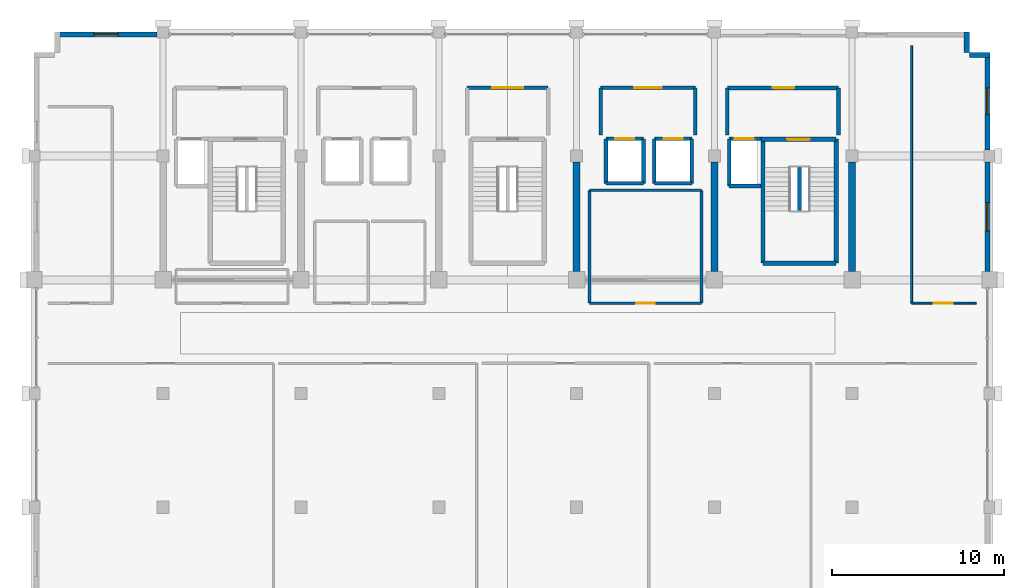
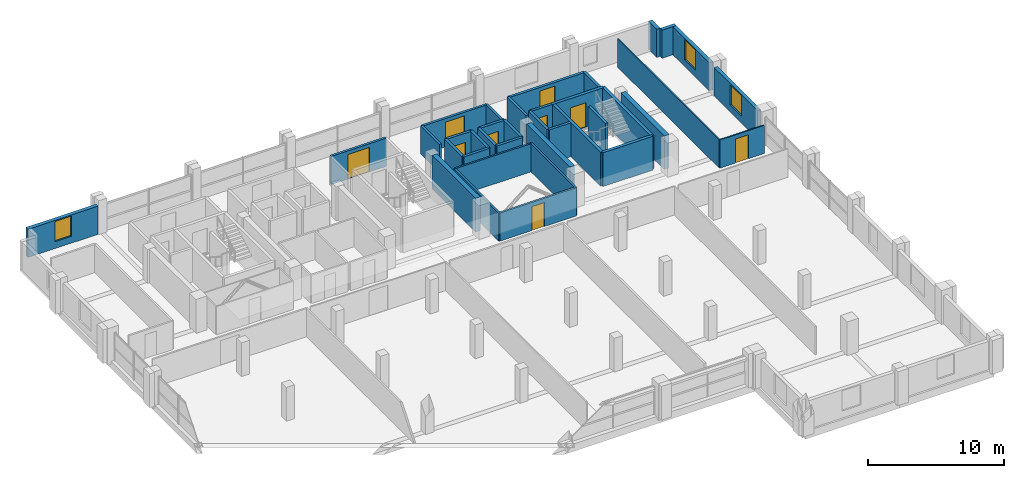
# One storey, part 23 of 25: 37 walls, 9 doors, 3 windows, 12 openings.
"""IFC4 building model written with IfcOpenShell, lengths in metres."""

from ifc_helpers import new_model, si_unit, direction, frame, frame_2d, origin, place, context, subcontext, project, spatial, rectangle, extrude, material, layer, layer_set, type_object, element, fill, save


model = new_model("IFC4")

# Units and contexts
model_context = context("Model", 3, precision=1e-05, world=origin(), true_north=direction((0.0, 1.0)))
body_context = subcontext(model_context, "Body", "Model", "MODEL_VIEW")
ifc_project = project(units=[si_unit("LENGTHUNIT", "METRE"), si_unit("AREAUNIT", "SQUARE_METRE"), si_unit("VOLUMEUNIT", "CUBIC_METRE"), si_unit("PLANEANGLEUNIT", "RADIAN"), si_unit("MASSUNIT", "GRAM", prefix="KILO")], contexts=[model_context])

# Site, building, storey
site_placement = place(None, origin())
site = spatial("IfcSite", under=ifc_project, at=site_placement, CompositionType="ELEMENT")
building_placement = place(site_placement, origin())
building = spatial("IfcBuilding", under=site, at=building_placement, Name="Akrevak Sports Hall", CompositionType="ELEMENT")
storey_placement = place(building_placement, frame((0.0, 0.0, 50.300048828125)))
storey = spatial("IfcBuildingStorey", under=building, at=storey_placement, Name="L12", CompositionType="ELEMENT", Elevation=50.300048828125)

# Wall, opening, window
ifc_material_1 = material(Name="Limestone Ashlar", Category="stone")
ifc_layer_1 = layer(ifc_material_1, 0.06005859375, Name="Limestone Ashlar")
ifc_material_2 = material(Name="Mineral Wool Thermal Insulation", Category="insulation")
ifc_layer_2 = layer(ifc_material_2, 0.090087890625, Name="Mineral Wool Thermal Insulation")
ifc_material_3 = material(Name="Concrete C40/50", Category="concrete")
ifc_layer_3 = layer(ifc_material_3, 0.14990234375, Name="Concrete C40/50")
ifc_layer_set_1 = layer_set([ifc_layer_1, ifc_layer_2, ifc_layer_3], Name="Limestone Ashlar / Mineral Wool Thermal Insulation / Concrete C40/50")
wall_type_1 = type_object("IfcWallType", Name="ARC-WL-EXT-300", PredefinedType="SOLIDWALL", material=ifc_layer_set_1)
wall_1_placement = place(storey_placement, frame((107.85009765625, 55.675048828125, 0.0), z_axis=(0.0, 0.0, 1.0), x_axis=(0.0, 1.0, 0.0)))
wall_1 = element("IfcWall", 1, at=wall_1_placement, inside=storey, type_object=wall_type_1, Name="Tower Stone Facade Wall L12-E15", PredefinedType="SOLIDWALL", context=body_context, shape_type="SweptSolid", body=[
    extrude(rectangle(XDim=6.375, YDim=0.300048828125, at=frame_2d((3.1875, 0.0))), origin(), (0.0, 0.0, 1.0), 2.530029296875),
])
opening_1_placement = place(wall_1_placement, frame((2.362548828125, 0.0, 0.6201171875)))
opening_1 = element("IfcOpeningElement", 2, at=opening_1_placement, cuts=wall_1, Name="Opening WN-58", PredefinedType="OPENING", context=body_context, shape_type="SweptSolid", body=[
    extrude(rectangle(XDim=1.64990234375, YDim=1.81005859375, at=frame_2d((0.824951171875, 0.905029296875))), frame((0.0, 0.162109375, 0.0), z_axis=(0.0, -1.0, 0.0), x_axis=(1.0, 0.0, 0.0)), (0.0, 0.0, 1.0), 0.323974609375),
])
ifc_material_4 = material(Name="Thermally Broken Bronze Frame & Double Low-E Glass", Category="glass")
window_type_1 = type_object("IfcWindowType", Name="ARC-WIN-SZ-1650x1810", PartitioningType="SINGLE_PANEL", PredefinedType="WINDOW", material=ifc_material_4)
window_1_placement = place(opening_1_placement, origin())
window_1 = element("IfcWindow", 3, at=window_1_placement, inside=storey, type_object=window_type_1, Name="Tower Window L12-E15", OverallHeight=1.81005859375, OverallWidth=1.64990234375, PartitioningType="SINGLE_PANEL", PredefinedType="WINDOW", context=body_context, shape_type="SweptSolid", body=[
    extrude(rectangle(XDim=1.64990234375, YDim=1.81005859375, at=frame_2d((0.824951171875, 0.905029296875))), frame((0.0, 0.030029296875, 0.0), z_axis=(0.0, -1.0, 0.0), x_axis=(1.0, 0.0, 0.0)), (0.0, 0.0, 1.0), 0.06005859375),
])
fill(opening_1, window_1)

wall_2_placement = place(storey_placement, frame((107.85009765625, 62.75, 0.0), z_axis=(0.0, 0.0, 1.0), x_axis=(0.0, 1.0, 0.0)))
wall_2 = element("IfcWall", 4, at=wall_2_placement, inside=storey, type_object=wall_type_1, Name="Tower Stone Facade Wall L12-E16", PredefinedType="SOLIDWALL", context=body_context, shape_type="SweptSolid", body=[
    extrude(rectangle(XDim=5.64990234375, YDim=0.300048828125, at=frame_2d((2.824951171875, 0.0))), origin(), (0.0, 0.0, 1.0), 2.530029296875),
])
opening_2_placement = place(wall_2_placement, frame((2.050048828125, 0.0, 0.6201171875)))
opening_2 = element("IfcOpeningElement", 5, at=opening_2_placement, cuts=wall_2, Name="Opening WN-50", PredefinedType="OPENING", context=body_context, shape_type="SweptSolid", body=[
    extrude(rectangle(XDim=1.550048828125, YDim=1.81005859375, at=frame_2d((0.77490234375, 0.905029296875))), frame((0.0, 0.162109375, 0.0), z_axis=(0.0, -1.0, 0.0), x_axis=(1.0, 0.0, 0.0)), (0.0, 0.0, 1.0), 0.323974609375),
])
window_type_2 = type_object("IfcWindowType", Name="ARC-WIN-SZ-1550x1810", PartitioningType="SINGLE_PANEL", PredefinedType="WINDOW", material=ifc_material_4)
window_2_placement = place(opening_2_placement, origin())
window_2 = element("IfcWindow", 6, at=window_2_placement, inside=storey, type_object=window_type_2, Name="Tower Window L12-E16", OverallHeight=1.81005859375, OverallWidth=1.550048828125, PartitioningType="SINGLE_PANEL", PredefinedType="WINDOW", context=body_context, shape_type="SweptSolid", body=[
    extrude(rectangle(XDim=1.550048828125, YDim=1.81005859375, at=frame_2d((0.77490234375, 0.905029296875))), frame((0.0, 0.030029296875, 0.0), z_axis=(0.0, -1.0, 0.0), x_axis=(1.0, 0.0, 0.0)), (0.0, 0.0, 1.0), 0.06005859375),
])
fill(opening_2, window_2)

# Walls
wall_3_placement = place(storey_placement, frame((108.0, 68.25, 0.0), z_axis=(0.0, 0.0, 1.0), x_axis=(-1.0, 0.0, 0.0)))
element("IfcWall", 7, at=wall_3_placement, inside=storey, type_object=wall_type_1, Name="Tower Stone Facade Wall L12-N17", PredefinedType="SOLIDWALL", context=body_context, shape_type="SweptSolid", body=[
    extrude(rectangle(XDim=1.199951171875, YDim=0.300048828125, at=frame_2d((0.60009765625, 0.0))), origin(), (0.0, 0.0, 1.0), 2.530029296875),
])
wall_4_placement = place(storey_placement, frame((106.64990234375, 68.39990234375, 0.0), z_axis=(0.0, 0.0, 1.0), x_axis=(0.0, 1.0, 0.0)))
element("IfcWall", 8, at=wall_4_placement, inside=storey, type_object=wall_type_1, Name="Tower Stone Facade Wall L12-E18", PredefinedType="SOLIDWALL", context=body_context, shape_type="SweptSolid", body=[
    extrude(rectangle(XDim=1.2001953125, YDim=0.300048828125, at=frame_2d((0.60009765625, 0.0))), origin(), (0.0, 0.0, 1.0), 2.530029296875),
])

# Wall, opening, window
wall_5_placement = place(storey_placement, frame((59.64990234375, 69.449951171875, 0.0), z_axis=(0.0, 0.0, 1.0), x_axis=(-1.0, 0.0, 0.0)))
wall_5 = element("IfcWall", 9, at=wall_5_placement, inside=storey, type_object=wall_type_1, Name="Tower Stone Facade Wall L12-N25", PredefinedType="SOLIDWALL", context=body_context, shape_type="SweptSolid", body=[
    extrude(rectangle(XDim=5.949951171875, YDim=0.300048828125, at=frame_2d((2.97509765625, 0.0))), origin(), (0.0, 0.0, 1.0), 2.530029296875),
])
opening_3_placement = place(wall_5_placement, frame((2.27490234375, 0.0, 0.6201171875)))
opening_3 = element("IfcOpeningElement", 10, at=opening_3_placement, cuts=wall_5, Name="Opening WN-49", PredefinedType="OPENING", context=body_context, shape_type="SweptSolid", body=[
    extrude(rectangle(XDim=1.39990234375, YDim=1.81005859375, at=frame_2d((0.699951171875, 0.905029296875))), frame((0.0, 0.162109375, 0.0), z_axis=(0.0, -1.0, 0.0), x_axis=(1.0, 0.0, 0.0)), (0.0, 0.0, 1.0), 0.323974609375),
])
window_type_3 = type_object("IfcWindowType", Name="ARC-WIN-SZ-1400x1810", PartitioningType="SINGLE_PANEL", PredefinedType="WINDOW", material=ifc_material_4)
window_3_placement = place(opening_3_placement, origin())
window_3 = element("IfcWindow", 11, at=window_3_placement, inside=storey, type_object=window_type_3, Name="Tower Window L12-N25", OverallHeight=1.81005859375, OverallWidth=1.39990234375, PartitioningType="SINGLE_PANEL", PredefinedType="WINDOW", context=body_context, shape_type="SweptSolid", body=[
    extrude(rectangle(XDim=1.39990234375, YDim=1.81005859375, at=frame_2d((0.699951171875, 0.905029296875))), frame((0.0, 0.030029296875, 0.0), z_axis=(0.0, -1.0, 0.0), x_axis=(1.0, 0.0, 0.0)), (0.0, 0.0, 1.0), 0.06005859375),
])
fill(opening_3, window_3)

# Wall, opening, door
ifc_material_5 = material(Name="Lightweight Office Partition", Category="gypsum")
ifc_layer_4 = layer(ifc_material_5, 0.110107421875, Name="Lightweight Office Partition")
ifc_layer_set_2 = layer_set([ifc_layer_4], Name="Lightweight Office Partition")
wall_type_2 = type_object("IfcWallType", Name="ARC-WL-PRT-110", PredefinedType="PARTITIONING", material=ifc_layer_set_2)
wall_6_placement = place(storey_placement, frame((103.449951171875, 53.85009765625, 0.0), z_axis=(0.0, 0.0, 1.0), x_axis=(1.0, 0.0, 0.0)))
wall_6 = element("IfcWall", 12, at=wall_6_placement, inside=storey, type_object=wall_type_2, Name="Interior Partition Federation Research Office L12-E1 (S)", PredefinedType="PARTITIONING", context=body_context, shape_type="SweptSolid", body=[
    extrude(rectangle(XDim=3.75, YDim=0.110107421875, at=frame_2d((1.875, 0.0))), origin(), (0.0, 0.0, 1.0), 2.530029296875),
])
opening_4_placement = place(wall_6_placement, frame((1.300048828125, 0.0, 0.0)))
opening_4 = element("IfcOpeningElement", 13, at=opening_4_placement, cuts=wall_6, Name="Opening ID-04", PredefinedType="OPENING", context=body_context, shape_type="SweptSolid", body=[
    extrude(rectangle(XDim=1.10009765625, YDim=2.14990234375, at=frame_2d((0.550048828125, 1.074951171875))), frame((0.0, 0.06689453125, 0.0), z_axis=(0.0, -1.0, 0.0), x_axis=(1.0, 0.0, 0.0)), (0.0, 0.0, 1.0), 0.134033203125),
])
ifc_material_6 = material(Name="Hardwood Oak Acoustic Leaf", Category="wood")
door_type_1 = type_object("IfcDoorType", Name="ARC-DR-OFF-110x215", OperationType="NOTDEFINED", PredefinedType="DOOR", material=ifc_material_6)
door_1_placement = place(opening_4_placement, origin())
door_1 = element("IfcDoor", 14, at=door_1_placement, inside=storey, type_object=door_type_1, Name="Door to Federation Research Office L12-E1", OperationType="SINGLE_SWING_LEFT", OverallHeight=2.14990234375, OverallWidth=1.10009765625, PredefinedType="DOOR", context=body_context, shape_type="SweptSolid", body=[
    extrude(rectangle(XDim=1.10009765625, YDim=2.14990234375, at=frame_2d((0.550048828125, 1.074951171875))), frame((0.0, 0.02490234375, 0.0), z_axis=(0.0, -1.0, 0.0), x_axis=(1.0, 0.0, 0.0)), (0.0, 0.0, 1.0), 0.050048828125),
])
fill(opening_4, door_1)

# Wall
wall_7_placement = place(storey_placement, frame((103.449951171875, 53.85009765625, 0.0), z_axis=(0.0, 0.0, 1.0), x_axis=(0.0, 1.0, 0.0)))
element("IfcWall", 15, at=wall_7_placement, inside=storey, type_object=wall_type_2, Name="Interior Partition Federation Research Office L12-E1 (W)", PredefinedType="PARTITIONING", context=body_context, shape_type="SweptSolid", body=[
    extrude(rectangle(XDim=14.949951171875, YDim=0.110107421875, at=frame_2d((7.47509765625, 0.0))), origin(), (0.0, 0.0, 1.0), 2.530029296875),
])

# Wall, opening, door
ifc_material_7 = material(Name="Double Stud Acoustic Gypsum Partition", Category="gypsum")
ifc_layer_5 = layer(ifc_material_7, 0.14990234375, Name="Double Stud Acoustic Gypsum Partition")
ifc_layer_set_3 = layer_set([ifc_layer_5], Name="Double Stud Acoustic Gypsum Partition")
wall_type_3 = type_object("IfcWallType", Name="ARC-WL-PRT-150", PredefinedType="PARTITIONING", material=ifc_layer_set_3)
wall_8_placement = place(storey_placement, frame((84.75, 53.85009765625, 0.0), z_axis=(0.0, 0.0, 1.0), x_axis=(1.0, 0.0, 0.0)))
wall_8 = element("IfcWall", 16, at=wall_8_placement, inside=storey, type_object=wall_type_3, Name="Interior Partition Sports Officiating Office L12-C1 (S)", PredefinedType="PARTITIONING", context=body_context, shape_type="SweptSolid", body=[
    extrude(rectangle(XDim=6.5, YDim=0.14990234375, at=frame_2d((3.25, 0.0))), origin(), (0.0, 0.0, 1.0), 2.530029296875),
])
opening_5_placement = place(wall_8_placement, frame((2.72509765625, 0.0, 0.0)))
opening_5 = element("IfcOpeningElement", 17, at=opening_5_placement, cuts=wall_8, Name="Opening ID-05", PredefinedType="OPENING", context=body_context, shape_type="SweptSolid", body=[
    extrude(rectangle(XDim=1.050048828125, YDim=2.14990234375, at=frame_2d((0.52490234375, 1.074951171875))), frame((0.0, 0.0869140625, 0.0), z_axis=(0.0, -1.0, 0.0), x_axis=(1.0, 0.0, 0.0)), (0.0, 0.0, 1.0), 0.173828125),
])
door_type_2 = type_object("IfcDoorType", Name="ARC-DR-OFF-105x215", OperationType="NOTDEFINED", PredefinedType="DOOR", material=ifc_material_6)
door_2_placement = place(opening_5_placement, frame((1.050048828125, 0.0, 0.0), z_axis=(0.0, 0.0, 1.0), x_axis=(-1.0, 0.0, 0.0)))
door_2 = element("IfcDoor", 18, at=door_2_placement, inside=storey, type_object=door_type_2, Name="Door to Sports Officiating Office L12-C1", OperationType="SINGLE_SWING_RIGHT", OverallHeight=2.14990234375, OverallWidth=1.050048828125, PredefinedType="DOOR", context=body_context, shape_type="SweptSolid", body=[
    extrude(rectangle(XDim=1.050048828125, YDim=2.14990234375, at=frame_2d((0.52490234375, 1.074951171875))), frame((0.0, 0.02490234375, 0.0), z_axis=(0.0, -1.0, 0.0), x_axis=(1.0, 0.0, 0.0)), (0.0, 0.0, 1.0), 0.050048828125),
])
fill(opening_5, door_2)

# Walls
wall_9_placement = place(storey_placement, frame((84.75, 60.39990234375, 0.0), z_axis=(0.0, 0.0, 1.0), x_axis=(1.0, 0.0, 0.0)))
element("IfcWall", 19, at=wall_9_placement, inside=storey, type_object=wall_type_3, Name="Interior Partition Sports Officiating Office L12-C1 (N)", PredefinedType="PARTITIONING", context=body_context, shape_type="SweptSolid", body=[
    extrude(rectangle(XDim=6.5, YDim=0.14990234375, at=frame_2d((3.25, 0.0))), origin(), (0.0, 0.0, 1.0), 2.530029296875),
])
for number, where, z_axis, x_axis, name in (
    (20, (84.75, 53.85009765625, 0.0), (0.0, 0.0, 1.0), (0.0, 1.0, 0.0), "Interior Partition Sports Officiating Office L12-C1 (W)"),
    (21, (91.25, 53.85009765625, 0.0), (0.0, 0.0, 1.0), (0.0, 1.0, 0.0), "Interior Partition Sports Officiating Office L12-C1 (E)"),
):
    element("IfcWall", number, at=place(storey_placement, frame(where, z_axis=z_axis, x_axis=x_axis)), inside=storey, type_object=wall_type_3, Name=name, PredefinedType="PARTITIONING", context=body_context, shape_type="SweptSolid", body=[
        extrude(rectangle(XDim=6.5498046875, YDim=0.14990234375, at=frame_2d((3.27490234375, 0.0))), origin(), (0.0, 0.0, 1.0), 2.530029296875),
    ])

# Wall, opening, door
ifc_material_8 = material(Name="Autoclaved Aerated Masonry Block", Category="masonry")
ifc_layer_6 = layer(ifc_material_8, 0.199951171875, Name="Autoclaved Aerated Masonry Block")
ifc_layer_set_4 = layer_set([ifc_layer_6], Name="Autoclaved Aerated Masonry Block")
wall_type_4 = type_object("IfcWallType", Name="ARC-WL-PRT-200", PredefinedType="PARTITIONING", material=ifc_layer_set_4)
wall_10_placement = place(storey_placement, frame((85.39990234375, 66.35009765625, 0.0), z_axis=(0.0, 0.0, 1.0), x_axis=(1.0, 0.0, 0.0)))
wall_10 = element("IfcWall", 22, at=wall_10_placement, inside=storey, type_object=wall_type_4, Name="Interior Partition East Passenger Lift Lobby L12 (N)", PredefinedType="PARTITIONING", context=body_context, shape_type="SweptSolid", body=[
    extrude(rectangle(XDim=5.5, YDim=0.199951171875, at=frame_2d((2.75, 0.0))), origin(), (0.0, 0.0, 1.0), 2.530029296875),
])
opening_6_placement = place(wall_10_placement, frame((1.949951171875, 0.0, 0.0)))
opening_6 = element("IfcOpeningElement", 23, at=opening_6_placement, cuts=wall_10, Name="Opening ID-03", PredefinedType="OPENING", context=body_context, shape_type="SweptSolid", body=[
    extrude(rectangle(XDim=1.60009765625, YDim=2.199951171875, at=frame_2d((0.800048828125, 1.10009765625))), frame((0.0, 0.11181640625, 0.0), z_axis=(0.0, -1.0, 0.0), x_axis=(1.0, 0.0, 0.0)), (0.0, 0.0, 1.0), 0.223876953125),
])
ifc_material_9 = material(Name="Hardwood Oak & Safety Glass", Category="wood")
door_type_3 = type_object("IfcDoorType", Name="ARC-DR-HALL-160x220", OperationType="DOUBLE_DOOR_SINGLE_SWING", PredefinedType="DOOR", material=ifc_material_9)
door_3_placement = place(opening_6_placement, origin())
door_3 = element("IfcDoor", 24, at=door_3_placement, inside=storey, type_object=door_type_3, Name="Door to East Passenger Lift Lobby L12", OperationType="DOUBLE_DOOR_SINGLE_SWING", OverallHeight=2.199951171875, OverallWidth=1.60009765625, PredefinedType="DOOR", context=body_context, shape_type="SweptSolid", body=[
    extrude(rectangle(XDim=1.60009765625, YDim=2.199951171875, at=frame_2d((0.800048828125, 1.10009765625))), frame((0.0, 0.02490234375, 0.0), z_axis=(0.0, -1.0, 0.0), x_axis=(1.0, 0.0, 0.0)), (0.0, 0.0, 1.0), 0.050048828125),
])
fill(opening_6, door_3)

# Walls
for number, where, z_axis, x_axis, name in (
    (25, (85.39990234375, 63.60009765625, 0.0), (0.0, 0.0, 1.0), (0.0, 1.0, 0.0), "Interior Partition East Passenger Lift Lobby L12 (W)"),
    (26, (90.89990234375, 63.60009765625, 0.0), (0.0, 0.0, 1.0), (0.0, 1.0, 0.0), "Interior Partition East Passenger Lift Lobby L12 (E)"),
):
    element("IfcWall", number, at=place(storey_placement, frame(where, z_axis=z_axis, x_axis=x_axis)), inside=storey, type_object=wall_type_4, Name=name, PredefinedType="PARTITIONING", context=body_context, shape_type="SweptSolid", body=[
        extrude(rectangle(XDim=2.75, YDim=0.199951171875, at=frame_2d((1.375, 0.0))), origin(), (0.0, 0.0, 1.0), 2.530029296875),
    ])

# Wall, opening, door
wall_11_placement = place(storey_placement, frame((77.64990234375, 66.35009765625, 0.0), z_axis=(0.0, 0.0, 1.0), x_axis=(1.0, 0.0, 0.0)))
wall_11 = element("IfcWall", 27, at=wall_11_placement, inside=storey, type_object=wall_type_4, Name="Interior Partition Central Stair ST3 Vestibule L12 (N)", PredefinedType="PARTITIONING", context=body_context, shape_type="SweptSolid", body=[
    extrude(rectangle(XDim=4.7001953125, YDim=0.199951171875, at=frame_2d((2.35009765625, 0.0))), origin(), (0.0, 0.0, 1.0), 2.530029296875),
])
opening_7_placement = place(wall_11_placement, frame((1.449951171875, 0.0, 0.0)))
opening_7 = element("IfcOpeningElement", 28, at=opening_7_placement, cuts=wall_11, Name="Opening FD-02", PredefinedType="OPENING", context=body_context, shape_type="SweptSolid", body=[
    extrude(rectangle(XDim=1.800048828125, YDim=2.199951171875, at=frame_2d((0.89990234375, 1.10009765625))), frame((0.0, 0.11181640625, 0.0), z_axis=(0.0, -1.0, 0.0), x_axis=(1.0, 0.0, 0.0)), (0.0, 0.0, 1.0), 0.223876953125),
])
ifc_material_10 = material(Name="Fire-Rated Galvanized Door Steel", Category="steel")
door_type_4 = type_object("IfcDoorType", Name="ARC-DR-FIRE-180x220", OperationType="DOUBLE_DOOR_SINGLE_SWING", PredefinedType="DOOR", material=ifc_material_10)
door_4_placement = place(opening_7_placement, frame((1.800048828125, 0.0, 0.0), z_axis=(0.0, 0.0, 1.0), x_axis=(-1.0, 0.0, 0.0)))
door_4 = element("IfcDoor", 29, at=door_4_placement, inside=storey, type_object=door_type_4, Name="Door to Central Stair ST3 Vestibule L12", OperationType="DOUBLE_DOOR_SINGLE_SWING", OverallHeight=2.199951171875, OverallWidth=1.800048828125, PredefinedType="DOOR", context=body_context, shape_type="SweptSolid", body=[
    extrude(rectangle(XDim=1.800048828125, YDim=2.199951171875, at=frame_2d((0.89990234375, 1.10009765625))), frame((0.0, 0.02490234375, 0.0), z_axis=(0.0, -1.0, 0.0), x_axis=(1.0, 0.0, 0.0)), (0.0, 0.0, 1.0), 0.050048828125),
])
fill(opening_7, door_4)

# Wall
ifc_layer_7 = layer(ifc_material_3, 0.219970703125, Name="Concrete C40/50")
ifc_layer_set_5 = layer_set([ifc_layer_7], Name="Concrete C40/50")
wall_type_5 = type_object("IfcWallType", Name="ARC-WL-PRT-220", PredefinedType="PARTITIONING", material=ifc_layer_set_5)
wall_12_placement = place(storey_placement, frame((96.949951171875, 59.215087890625, 0.0), z_axis=(0.0, 0.0, 1.0), x_axis=(0.0, 1.0, 0.0)))
element("IfcWall", 30, at=wall_12_placement, inside=storey, type_object=wall_type_5, Name="Stair ST2 Central Spine Wall (L12)", PredefinedType="PARTITIONING", context=body_context, shape_type="SweptSolid", body=[
    extrude(rectangle(XDim=2.52001953125, YDim=0.219970703125, at=frame_2d((1.260009765625, 0.0))), origin(), (0.0, 0.0, 1.0), 3.030029296875),
])

# Wall, opening, door
wall_13_placement = place(storey_placement, frame((92.75, 66.35009765625, 0.0), z_axis=(0.0, 0.0, 1.0), x_axis=(1.0, 0.0, 0.0)))
wall_13 = element("IfcWall", 31, at=wall_13_placement, inside=storey, type_object=wall_type_5, Name="Interior Partition Firefighting Lobby East L12 (N)", PredefinedType="PARTITIONING", context=body_context, shape_type="SweptSolid", body=[
    extrude(rectangle(XDim=6.449951171875, YDim=0.219970703125, at=frame_2d((3.22509765625, 0.0))), origin(), (0.0, 0.0, 1.0), 2.530029296875),
])
opening_8_placement = place(wall_13_placement, frame((2.625, 0.0, 0.0)))
opening_8 = element("IfcOpeningElement", 32, at=opening_8_placement, cuts=wall_13, Name="Opening FD-01", PredefinedType="OPENING", context=body_context, shape_type="SweptSolid", body=[
    extrude(rectangle(XDim=1.25, YDim=2.199951171875, at=frame_2d((0.625, 1.10009765625))), frame((0.0, 0.1220703125, 0.0), z_axis=(0.0, -1.0, 0.0), x_axis=(1.0, 0.0, 0.0)), (0.0, 0.0, 1.0), 0.243896484375),
])
door_type_5 = type_object("IfcDoorType", Name="ARC-DR-FFL-125x220", OperationType="NOTDEFINED", PredefinedType="DOOR", material=ifc_material_10)
door_5_placement = place(opening_8_placement, frame((1.25, 0.0, 0.0), z_axis=(0.0, 0.0, 1.0), x_axis=(-1.0, 0.0, 0.0)))
door_5 = element("IfcDoor", 33, at=door_5_placement, inside=storey, type_object=door_type_5, Name="Door to Firefighting Lobby East L12", OperationType="SINGLE_SWING_RIGHT", OverallHeight=2.199951171875, OverallWidth=1.25, PredefinedType="DOOR", context=body_context, shape_type="SweptSolid", body=[
    extrude(rectangle(XDim=1.25, YDim=2.199951171875, at=frame_2d((0.625, 1.10009765625))), frame((0.0, 0.02490234375, 0.0), z_axis=(0.0, -1.0, 0.0), x_axis=(1.0, 0.0, 0.0)), (0.0, 0.0, 1.0), 0.050048828125),
])
fill(opening_8, door_5)

# Walls
for number, where, z_axis, x_axis, name in (
    (34, (92.75, 63.60009765625, 0.0), (0.0, 0.0, 1.0), (0.0, 1.0, 0.0), "Interior Partition Firefighting Lobby East L12 (W)"),
    (35, (99.199951171875, 63.60009765625, 0.0), (0.0, 0.0, 1.0), (0.0, 1.0, 0.0), "Interior Partition Firefighting Lobby East L12 (E)"),
):
    element("IfcWall", number, at=place(storey_placement, frame(where, z_axis=z_axis, x_axis=x_axis)), inside=storey, type_object=wall_type_5, Name=name, PredefinedType="PARTITIONING", context=body_context, shape_type="SweptSolid", body=[
        extrude(rectangle(XDim=2.75, YDim=0.219970703125, at=frame_2d((1.375, 0.0))), origin(), (0.0, 0.0, 1.0), 2.530029296875),
    ])
ifc_material_11 = material(Name="Concrete C50/60", Category="concrete")
ifc_layer_8 = layer(ifc_material_11, 0.219970703125, Name="Concrete C50/60")
ifc_layer_set_6 = layer_set([ifc_layer_8], Name="Concrete C50/60")
wall_type_6 = type_object("IfcWallType", Name="ARC-WL-SHAFT-220", PredefinedType="SHEAR", material=ifc_layer_set_6)
wall_14_placement = place(storey_placement, frame((92.860107421875, 60.659912109375, 0.0), z_axis=(0.0, 0.0, 1.0), x_axis=(1.0, 0.0, 0.0)))
element("IfcWall", 36, at=wall_14_placement, inside=storey, type_object=wall_type_6, Name="Lift Shaft LF-FF2 Wall S (L12)", PredefinedType="SHEAR", context=body_context, shape_type="SweptSolid", body=[
    extrude(rectangle(XDim=1.83984375, YDim=0.219970703125, at=frame_2d((0.919921875, 0.0))), origin(), (0.0, 0.0, 1.0), 3.030029296875),
])

# Wall, opening, door
wall_15_placement = place(storey_placement, frame((94.699951171875, 63.389892578125, 0.0), z_axis=(0.0, 0.0, 1.0), x_axis=(-1.0, 0.0, 0.0)))
wall_15 = element("IfcWall", 37, at=wall_15_placement, inside=storey, type_object=wall_type_6, Name="Lift Shaft LF-FF2 Wall N (L12)", PredefinedType="SHEAR", context=body_context, shape_type="SweptSolid", body=[
    extrude(rectangle(XDim=1.83984375, YDim=0.219970703125, at=frame_2d((0.919921875, 0.0))), origin(), (0.0, 0.0, 1.0), 3.030029296875),
])
opening_9_placement = place(wall_15_placement, frame((0.425048828125, 0.0, 0.0)))
opening_9 = element("IfcOpeningElement", 38, at=opening_9_placement, cuts=wall_15, Name="Opening LD-01", PredefinedType="OPENING", context=body_context, shape_type="SweptSolid", body=[
    extrude(rectangle(XDim=1.10009765625, YDim=2.199951171875, at=frame_2d((0.550048828125, 1.10009765625))), frame((0.0, 0.1220703125, 0.0), z_axis=(0.0, -1.0, 0.0), x_axis=(1.0, 0.0, 0.0)), (0.0, 0.0, 1.0), 0.243896484375),
])
ifc_material_12 = material(Name="Brushed Stainless Steel 304", Category="steel")
door_type_6 = type_object("IfcDoorType", Name="ARC-DR-LD-110x220", OperationType="SLIDING_TO_LEFT", PredefinedType="DOOR", material=ifc_material_12)
door_6_placement = place(opening_9_placement, origin())
door_6 = element("IfcDoor", 39, at=door_6_placement, inside=storey, type_object=door_type_6, Name="Lift LF-FF2 Sliding Landing Door (L12)", OperationType="SLIDING_TO_LEFT", OverallHeight=2.199951171875, OverallWidth=1.10009765625, PredefinedType="DOOR", context=body_context, shape_type="SweptSolid", body=[
    extrude(rectangle(XDim=1.10009765625, YDim=2.199951171875, at=frame_2d((0.550048828125, 1.10009765625))), frame((0.0, 0.02490234375, 0.0), z_axis=(0.0, -1.0, 0.0), x_axis=(1.0, 0.0, 0.0)), (0.0, 0.0, 1.0), 0.050048828125),
])
fill(opening_9, door_6)

# Walls
wall_16_placement = place(storey_placement, frame((92.860107421875, 63.389892578125, 0.0), z_axis=(0.0, 0.0, 1.0), x_axis=(0.0, -1.0, 0.0)))
element("IfcWall", 40, at=wall_16_placement, inside=storey, type_object=wall_type_6, Name="Lift Shaft LF-FF2 Wall W (L12)", PredefinedType="SHEAR", context=body_context, shape_type="SweptSolid", body=[
    extrude(rectangle(XDim=2.72998046875, YDim=0.219970703125, at=frame_2d((1.364990234375, 0.0))), origin(), (0.0, 0.0, 1.0), 3.030029296875),
])
wall_17_placement = place(storey_placement, frame((85.7099609375, 60.81005859375, 0.0), z_axis=(0.0, 0.0, 1.0), x_axis=(1.0, 0.0, 0.0)))
element("IfcWall", 41, at=wall_17_placement, inside=storey, type_object=wall_type_6, Name="Lift Shaft LF-P3 Wall S (L12)", PredefinedType="SHEAR", context=body_context, shape_type="SweptSolid", body=[
    extrude(rectangle(XDim=2.179931640625, YDim=0.219970703125, at=frame_2d((1.08984375, 0.0))), origin(), (0.0, 0.0, 1.0), 3.030029296875),
])

# Wall, opening, door
wall_18_placement = place(storey_placement, frame((87.889892578125, 63.389892578125, 0.0), z_axis=(0.0, 0.0, 1.0), x_axis=(-1.0, 0.0, 0.0)))
wall_18 = element("IfcWall", 42, at=wall_18_placement, inside=storey, type_object=wall_type_6, Name="Lift Shaft LF-P3 Wall N (L12)", PredefinedType="SHEAR", context=body_context, shape_type="SweptSolid", body=[
    extrude(rectangle(XDim=2.179931640625, YDim=0.219970703125, at=frame_2d((1.08984375, 0.0))), origin(), (0.0, 0.0, 1.0), 3.030029296875),
])
opening_10_placement = place(wall_18_placement, frame((0.5400390625, 0.0, 0.0)))
opening_10 = element("IfcOpeningElement", 43, at=opening_10_placement, cuts=wall_18, Name="Opening LD-01", PredefinedType="OPENING", context=body_context, shape_type="SweptSolid", body=[
    extrude(rectangle(XDim=1.10009765625, YDim=2.199951171875, at=frame_2d((0.550048828125, 1.10009765625))), frame((0.0, 0.1220703125, 0.0), z_axis=(0.0, -1.0, 0.0), x_axis=(1.0, 0.0, 0.0)), (0.0, 0.0, 1.0), 0.243896484375),
])
door_7_placement = place(opening_10_placement, origin())
door_7 = element("IfcDoor", 44, at=door_7_placement, inside=storey, type_object=door_type_6, Name="Lift LF-P3 Sliding Landing Door (L12)", OperationType="SLIDING_TO_LEFT", OverallHeight=2.199951171875, OverallWidth=1.10009765625, PredefinedType="DOOR", context=body_context, shape_type="SweptSolid", body=[
    extrude(rectangle(XDim=1.10009765625, YDim=2.199951171875, at=frame_2d((0.550048828125, 1.10009765625))), frame((0.0, 0.02490234375, 0.0), z_axis=(0.0, -1.0, 0.0), x_axis=(1.0, 0.0, 0.0)), (0.0, 0.0, 1.0), 0.050048828125),
])
fill(opening_10, door_7)

# Walls
for number, where, z_axis, x_axis, name in (
    (45, (85.7099609375, 63.389892578125, 0.0), (0.0, 0.0, 1.0), (0.0, -1.0, 0.0), "Lift Shaft LF-P3 Wall W (L12)"),
    (46, (87.889892578125, 60.81005859375, 0.0), (0.0, 0.0, 1.0), (0.0, 1.0, 0.0), "Lift Shaft LF-P3 Wall E (L12)"),
):
    element("IfcWall", number, at=place(storey_placement, frame(where, z_axis=z_axis, x_axis=x_axis)), inside=storey, type_object=wall_type_6, Name=name, PredefinedType="SHEAR", context=body_context, shape_type="SweptSolid", body=[
        extrude(rectangle(XDim=2.579833984375, YDim=0.219970703125, at=frame_2d((1.2900390625, 0.0))), origin(), (0.0, 0.0, 1.0), 3.030029296875),
    ])
wall_19_placement = place(storey_placement, frame((88.510009765625, 60.81005859375, 0.0), z_axis=(0.0, 0.0, 1.0), x_axis=(1.0, 0.0, 0.0)))
element("IfcWall", 47, at=wall_19_placement, inside=storey, type_object=wall_type_6, Name="Lift Shaft LF-P4 Wall S (L12)", PredefinedType="SHEAR", context=body_context, shape_type="SweptSolid", body=[
    extrude(rectangle(XDim=2.179931640625, YDim=0.219970703125, at=frame_2d((1.08984375, 0.0))), origin(), (0.0, 0.0, 1.0), 3.030029296875),
])

# Wall, opening, door
wall_20_placement = place(storey_placement, frame((90.68994140625, 63.389892578125, 0.0), z_axis=(0.0, 0.0, 1.0), x_axis=(-1.0, 0.0, 0.0)))
wall_20 = element("IfcWall", 48, at=wall_20_placement, inside=storey, type_object=wall_type_6, Name="Lift Shaft LF-P4 Wall N (L12)", PredefinedType="SHEAR", context=body_context, shape_type="SweptSolid", body=[
    extrude(rectangle(XDim=2.179931640625, YDim=0.219970703125, at=frame_2d((1.08984375, 0.0))), origin(), (0.0, 0.0, 1.0), 3.030029296875),
])
opening_11_placement = place(wall_20_placement, frame((0.5400390625, 0.0, 0.0)))
opening_11 = element("IfcOpeningElement", 49, at=opening_11_placement, cuts=wall_20, Name="Opening LD-01", PredefinedType="OPENING", context=body_context, shape_type="SweptSolid", body=[
    extrude(rectangle(XDim=1.10009765625, YDim=2.199951171875, at=frame_2d((0.550048828125, 1.10009765625))), frame((0.0, 0.1220703125, 0.0), z_axis=(0.0, -1.0, 0.0), x_axis=(1.0, 0.0, 0.0)), (0.0, 0.0, 1.0), 0.243896484375),
])
door_8_placement = place(opening_11_placement, origin())
door_8 = element("IfcDoor", 50, at=door_8_placement, inside=storey, type_object=door_type_6, Name="Lift LF-P4 Sliding Landing Door (L12)", OperationType="SLIDING_TO_LEFT", OverallHeight=2.199951171875, OverallWidth=1.10009765625, PredefinedType="DOOR", context=body_context, shape_type="SweptSolid", body=[
    extrude(rectangle(XDim=1.10009765625, YDim=2.199951171875, at=frame_2d((0.550048828125, 1.10009765625))), frame((0.0, 0.02490234375, 0.0), z_axis=(0.0, -1.0, 0.0), x_axis=(1.0, 0.0, 0.0)), (0.0, 0.0, 1.0), 0.050048828125),
])
fill(opening_11, door_8)

# Walls
for number, where, z_axis, x_axis, name in (
    (51, (88.510009765625, 63.389892578125, 0.0), (0.0, 0.0, 1.0), (0.0, -1.0, 0.0), "Lift Shaft LF-P4 Wall W (L12)"),
    (52, (90.68994140625, 60.81005859375, 0.0), (0.0, 0.0, 1.0), (0.0, 1.0, 0.0), "Lift Shaft LF-P4 Wall E (L12)"),
):
    element("IfcWall", number, at=place(storey_placement, frame(where, z_axis=z_axis, x_axis=x_axis)), inside=storey, type_object=wall_type_6, Name=name, PredefinedType="SHEAR", context=body_context, shape_type="SweptSolid", body=[
        extrude(rectangle(XDim=2.579833984375, YDim=0.219970703125, at=frame_2d((1.2900390625, 0.0))), origin(), (0.0, 0.0, 1.0), 3.030029296875),
    ])
ifc_layer_9 = layer(ifc_material_11, 0.39990234375, Name="Concrete C50/60")
ifc_layer_set_7 = layer_set([ifc_layer_9], Name="Concrete C50/60")
wall_type_7 = type_object("IfcWallType", Name="STR-WL-CORE-400", PredefinedType="SHEAR", material=ifc_layer_set_7)
for number, where, z_axis, x_axis, name in (
    (53, (84.0, 55.675048828125, 0.0), (0.0, 0.0, 1.0), (0.0, 1.0, 0.0), "Reinforced Concrete Shear Wall SW-C2 (L12)"),
    (54, (92.0, 55.675048828125, 0.0), (0.0, 0.0, 1.0), (0.0, 1.0, 0.0), "Reinforced Concrete Shear Wall SW-E1 (L12)"),
    (55, (100.0, 55.675048828125, 0.0), (0.0, 0.0, 1.0), (0.0, 1.0, 0.0), "Reinforced Concrete Shear Wall SW-E2 (L12)"),
):
    element("IfcWall", number, at=place(storey_placement, frame(where, z_axis=z_axis, x_axis=x_axis)), inside=storey, type_object=wall_type_7, Name=name, PredefinedType="SHEAR", context=body_context, shape_type="SweptSolid", body=[
        extrude(rectangle(XDim=6.375, YDim=0.39990234375, at=frame_2d((3.1875, 0.0))), origin(), (0.0, 0.0, 1.0), 3.030029296875),
    ])
ifc_layer_10 = layer(ifc_material_11, 0.25, Name="Concrete C50/60")
ifc_layer_set_8 = layer_set([ifc_layer_10], Name="Concrete C50/60")
wall_type_8 = type_object("IfcWallType", Name="STR-WL-STAIR-250", PredefinedType="SHEAR", material=ifc_layer_set_8)
wall_21_placement = place(storey_placement, frame((94.824951171875, 56.175048828125, 0.0), z_axis=(0.0, 0.0, 1.0), x_axis=(1.0, 0.0, 0.0)))
element("IfcWall", 56, at=wall_21_placement, inside=storey, type_object=wall_type_8, Name="Stair Core ST2 Shear Wall S (L12)", PredefinedType="SHEAR", context=body_context, shape_type="SweptSolid", body=[
    extrude(rectangle(XDim=4.25, YDim=0.25, at=frame_2d((2.125, 0.0))), origin(), (0.0, 0.0, 1.0), 3.030029296875),
])

# Wall, opening, door
wall_22_placement = place(storey_placement, frame((99.074951171875, 63.375, 0.0), z_axis=(0.0, 0.0, 1.0), x_axis=(-1.0, 0.0, 0.0)))
wall_22 = element("IfcWall", 57, at=wall_22_placement, inside=storey, type_object=wall_type_8, Name="Stair Core ST2 Shear Wall N (L12)", PredefinedType="SHEAR", context=body_context, shape_type="SweptSolid", body=[
    extrude(rectangle(XDim=4.375, YDim=0.25, at=frame_2d((2.1875, 0.0))), origin(), (0.0, 0.0, 1.0), 3.030029296875),
])
opening_12_placement = place(wall_22_placement, frame((1.53759765625, 0.0, 0.0)))
opening_12 = element("IfcOpeningElement", 58, at=opening_12_placement, cuts=wall_22, Name="Opening SD-01", PredefinedType="OPENING", context=body_context, shape_type="SweptSolid", body=[
    extrude(rectangle(XDim=1.300048828125, YDim=2.199951171875, at=frame_2d((0.64990234375, 1.10009765625))), frame((0.0, 0.136962890625, 0.0), z_axis=(0.0, -1.0, 0.0), x_axis=(1.0, 0.0, 0.0)), (0.0, 0.0, 1.0), 0.27392578125),
])
door_type_7 = type_object("IfcDoorType", Name="ARC-DR-STAIR-130x220", OperationType="NOTDEFINED", PredefinedType="DOOR", material=ifc_material_10)
door_9_placement = place(opening_12_placement, origin())
door_9 = element("IfcDoor", 59, at=door_9_placement, inside=storey, type_object=door_type_7, Name="Exit Stair ST2 Door (L12)", OperationType="SINGLE_SWING_LEFT", OverallHeight=2.199951171875, OverallWidth=1.300048828125, PredefinedType="DOOR", context=body_context, shape_type="SweptSolid", body=[
    extrude(rectangle(XDim=1.300048828125, YDim=2.199951171875, at=frame_2d((0.64990234375, 1.10009765625))), frame((0.0, 0.02490234375, 0.0), z_axis=(0.0, -1.0, 0.0), x_axis=(1.0, 0.0, 0.0)), (0.0, 0.0, 1.0), 0.050048828125),
])
fill(opening_12, door_9)

# Walls
wall_23_placement = place(storey_placement, frame((94.824951171875, 63.25, 0.0), z_axis=(0.0, 0.0, 1.0), x_axis=(0.0, -1.0, 0.0)))
element("IfcWall", 60, at=wall_23_placement, inside=storey, type_object=wall_type_8, Name="Stair Core ST2 Shear Wall W (L12)", PredefinedType="SHEAR", context=body_context, shape_type="SweptSolid", body=[
    extrude(rectangle(XDim=7.074951171875, YDim=0.25, at=frame_2d((3.53759765625, 0.0))), origin(), (0.0, 0.0, 1.0), 3.030029296875),
])
wall_24_placement = place(storey_placement, frame((99.074951171875, 56.175048828125, 0.0), z_axis=(0.0, 0.0, 1.0), x_axis=(0.0, 1.0, 0.0)))
element("IfcWall", 61, at=wall_24_placement, inside=storey, type_object=wall_type_8, Name="Stair Core ST2 Shear Wall E (L12)", PredefinedType="SHEAR", context=body_context, shape_type="SweptSolid", body=[
    extrude(rectangle(XDim=7.199951171875, YDim=0.25, at=frame_2d((3.60009765625, 0.0))), origin(), (0.0, 0.0, 1.0), 3.030029296875),
])

save(model, "model.ifc")
